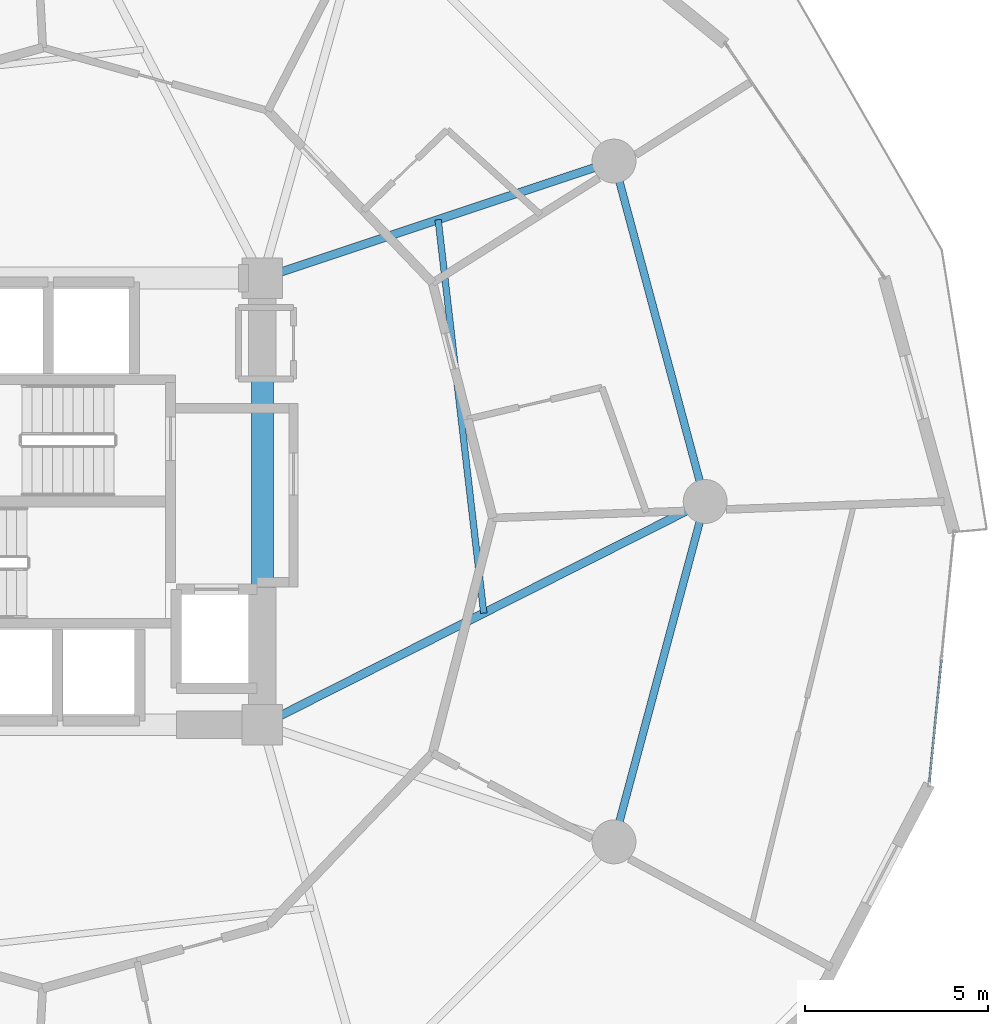
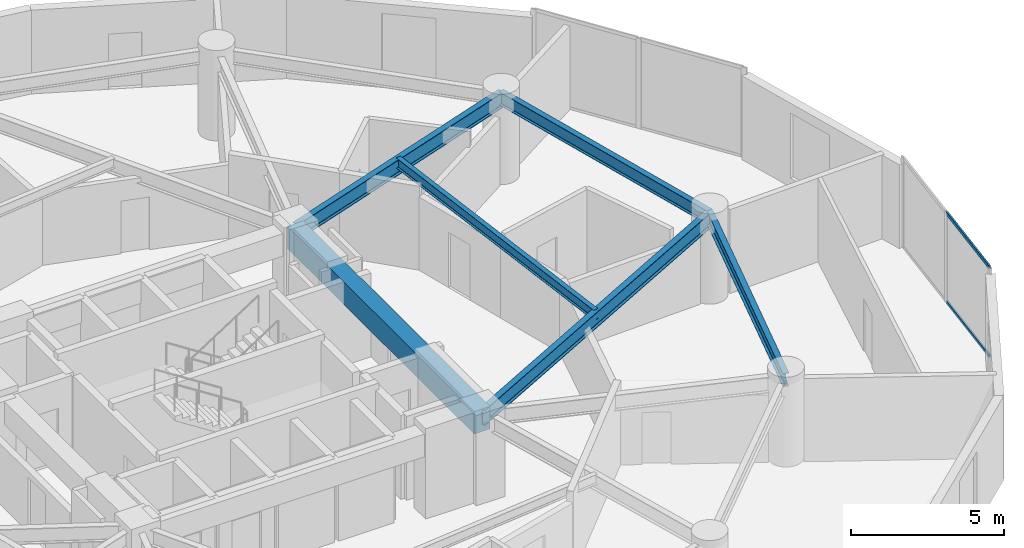
# One storey, part 12 of 26: 6 beams, 2 members, 1 element without a shape of its own.
"""IFC4 building model written with IfcOpenShell, lengths in metres."""

from ifc_helpers import new_model, si_unit, direction, frame, origin, origin_2d, place, context, subcontext, project, spatial, rectangle, hollow_rectangle, i_section, extrude, source, transform, mapped, material, layer, layer_set, material_profile, profile_set, type_object, element, aggregate, save


model = new_model("IFC4")

# Units and contexts
model_context = context("Model", 3, precision=1e-05, world=origin(), true_north=direction((0.0, 1.0)))
body_context = subcontext(model_context, "Body", "Model", "MODEL_VIEW")
ifc_project = project(units=[si_unit("LENGTHUNIT", "METRE"), si_unit("AREAUNIT", "SQUARE_METRE"), si_unit("VOLUMEUNIT", "CUBIC_METRE"), si_unit("PLANEANGLEUNIT", "RADIAN"), si_unit("MASSUNIT", "GRAM", prefix="KILO")], contexts=[model_context])

# Site, building, storey
site_placement = place(None, origin())
site = spatial("IfcSite", under=ifc_project, at=site_placement, CompositionType="ELEMENT")
building_placement = place(site_placement, origin())
building = spatial("IfcBuilding", under=site, at=building_placement, Name="Solvirekh Grand Hotel", CompositionType="ELEMENT")
storey_placement = place(building_placement, frame((0.0, 0.0, 64.39990234375)))
storey = spatial("IfcBuildingStorey", under=building, at=storey_placement, Name="L15", CompositionType="ELEMENT", Elevation=64.39990234375)

# Beams
ifc_material_1 = material(Name="Concrete C50/60", Category="concrete")
ifc_material_profile_1 = material_profile(ifc_material_1, rectangle(XDim=0.60009765625, YDim=0.89990234375, at=origin_2d()), Name="RC BEAM 600X900")
ifc_profile_set_1 = profile_set([ifc_material_profile_1], Name="Concrete C50/60")
beam_type_1 = type_object("IfcBeamType", Name="Beam_Core_RC900", PredefinedType="BEAM", material=ifc_profile_set_1)
beam_1_placement = place(storey_placement, frame((6.5, -6.10009765625, 2.89013671875), z_axis=(0.0, 1.0, 0.0), x_axis=(-1.0, 0.0, 0.0)))
element("IfcBeam", 1, at=beam_1_placement, inside=storey, type_object=beam_type_1, Name="L15 core coupling ring beam 2", PredefinedType="BEAM", context=body_context, shape_type="SweptSolid", body=[
    extrude(rectangle(XDim=0.60009765625, YDim=0.89990234375, at=origin_2d()), origin(), (0.0, 0.0, 1.0), 12.2001953125),
])
ifc_material_2 = material(Name="Steel S355", Category="steel")
ifc_material_profile_2 = material_profile(ifc_material_2, i_section(OverallWidth=0.22802734375, OverallDepth=0.616943359375, WebThickness=0.012939453125, FlangeThickness=0.02001953125, FilletRadius=0.014892578125, at=origin_2d()), Name="W610X140")
ifc_profile_set_2 = profile_set([ifc_material_profile_2], Name="Steel S355")
beam_type_2 = type_object("IfcBeamType", Name="Beam_Radial_W610", PredefinedType="BEAM", material=ifc_profile_set_2)
beam_2_placement = place(storey_placement, frame((6.5, -6.10009765625, 3.031005859375), z_axis=(0.892944939011, 0.450165898191, 0.0), x_axis=(-0.450165898191, 0.892944939011, 0.0)))
element("IfcBeam", 2, at=beam_2_placement, inside=storey, type_object=beam_type_2, Name="L15 radial floor beam R01", PredefinedType="BEAM", context=body_context, shape_type="SweptSolid", body=[
    extrude(i_section(OverallWidth=0.22802734375, OverallDepth=0.616943359375, WebThickness=0.012939453125, FlangeThickness=0.02001953125, FilletRadius=0.014892578125, at=origin_2d()), origin(), (0.0, 0.0, 1.0), 13.55078125),
])
beam_3_placement = place(storey_placement, frame((6.5, 6.10009765625, 3.031005859375), z_axis=(0.948762825819, 0.315989082635, 0.0), x_axis=(-0.315989082635, 0.948762825819, 0.0)))
element("IfcBeam", 3, at=beam_3_placement, inside=storey, type_object=beam_type_2, Name="L15 radial floor beam R02", PredefinedType="BEAM", context=body_context, shape_type="SweptSolid", body=[
    extrude(i_section(OverallWidth=0.22802734375, OverallDepth=0.616943359375, WebThickness=0.012939453125, FlangeThickness=0.02001953125, FilletRadius=0.014892578125, at=origin_2d()), origin(), (0.0, 0.0, 1.0), 10.126708984375),
])
ifc_material_profile_3 = material_profile(ifc_material_2, i_section(OverallWidth=0.177978515625, OverallDepth=0.406982421875, WebThickness=0.008056640625, FlangeThickness=0.011962890625, FilletRadius=0.011962890625, at=origin_2d()), Name="W410X60")
ifc_profile_set_3 = profile_set([ifc_material_profile_3], Name="Steel S355")
beam_type_3 = type_object("IfcBeamType", Name="Joist_Floor_W410", PredefinedType="JOIST", material=ifc_profile_set_3)
beam_4_placement = place(storey_placement, frame((12.550048828125, -3.050048828125, 3.135986328125), z_axis=(-0.115144710849, 0.993348728073, 0.0), x_axis=(-0.993348728073, -0.115144710849, 0.0)))
element("IfcBeam", 4, at=beam_4_placement, inside=storey, type_object=beam_type_3, Name="L15 secondary composite floor joist 1", PredefinedType="JOIST", context=body_context, shape_type="SweptSolid", body=[
    extrude(i_section(OverallWidth=0.177978515625, OverallDepth=0.406982421875, WebThickness=0.008056640625, FlangeThickness=0.011962890625, FilletRadius=0.011962890625, at=origin_2d()), origin(), (0.0, 0.0, 1.0), 10.822021484375),
])
ifc_material_profile_4 = material_profile(ifc_material_2, i_section(OverallWidth=0.208984375, OverallDepth=0.532958984375, WebThickness=0.010009765625, FlangeThickness=0.014892578125, FilletRadius=0.013916015625, at=origin_2d()), Name="W530X92")
ifc_profile_set_4 = profile_set([ifc_material_profile_4], Name="Steel S355")
beam_type_4 = type_object("IfcBeamType", Name="Spandrel_Ring_W530", PredefinedType="SPANDREL", material=ifc_profile_set_4)
for number, where, z_axis, x_axis, name in (
    (5, (18.60009765625, 0.0, 3.07421875), (-0.258842973314, 0.965919414426, 0.0), (-0.965919414426, -0.258842973314, 0.0), "L15 perimeter spandrel beam 1"),
    (6, (16.10791015625, -9.300048828125, 3.07421875), (0.258842973314, 0.965919414426, 0.0), (-0.965919414426, 0.258842973314, 0.0), "L15 perimeter spandrel beam 12"),
):
    element("IfcBeam", number, at=place(storey_placement, frame(where, z_axis=z_axis, x_axis=x_axis)), inside=storey, type_object=beam_type_4, Name=name, PredefinedType="SPANDREL", context=body_context, shape_type="SweptSolid", body=[
        extrude(i_section(OverallWidth=0.208984375, OverallDepth=0.532958984375, WebThickness=0.010009765625, FlangeThickness=0.014892578125, FilletRadius=0.013916015625, at=origin_2d()), origin(), (0.0, 0.0, 1.0), 9.628173828125),
    ])

# Curtain wall, members
ifc_material_3 = material(Name="Anodized Bronze Aluminium 6063-T6", Category="aluminium")
ifc_layer = layer(ifc_material_3, 0.18994140625)
ifc_layer_set = layer_set([ifc_layer], Name="Anodized Bronze Aluminium 6063-T6")
curtain_wall_type = type_object("IfcCurtainWallType", Name="CW_Sys2_LowZoneFlushBronzeCW", PredefinedType="NOTDEFINED", material=ifc_layer_set)
curtain_wall_placement = place(storey_placement, origin())
curtain_wall = element("IfcCurtainWall", 7, at=curtain_wall_placement, inside=storey, type_object=curtain_wall_type, Name="L15 unitised bronze-glass curtain wall CW-L15-C01", PredefinedType="NOTDEFINED")
ifc_material_profile_5 = material_profile(ifc_material_3, hollow_rectangle(XDim=0.06005859375, YDim=0.135009765625, WallThickness=0.00390625, at=origin_2d()), Name="ALU RHS 135X60X4")
ifc_profile_set_5 = profile_set([ifc_material_profile_5], Name="Anodized Bronze Aluminium 6063-T6")
member_type = type_object("IfcMemberType", Name="CWTransom_Sys2", PredefinedType="USERDEFINED", material=ifc_profile_set_5)
shared_shape = source(origin(), body_context, "Body", "SweptSolid", [
    extrude(hollow_rectangle(XDim=0.06005859375, YDim=0.135009765625, WallThickness=0.00390625, at=origin_2d()), origin(), (0.0, 0.0, 1.0), 3.35791015625),
])
member_1_placement = place(storey_placement, frame((24.725830078125, -7.662353515625, 0.030029296875), z_axis=(0.098373446851, 0.995149569138, 0.0), x_axis=(-0.995149569138, 0.098373446851, 0.0)))
member_1 = element("IfcMember", 8, at=member_1_placement, type_object=member_type, Name="U02 transom 1.1", ObjectType="TRANSOM", PredefinedType="USERDEFINED", context=body_context, shape_type="MappedRepresentation", body=[
    mapped(shared_shape, transform((0.0, 0.0, 0.0), x_axis=(1.0, 0.0, 0.0), y_axis=(0.0, 1.0, 0.0), z_axis=(0.0, 0.0, 1.0), scale=1.0)),
])
member_2_placement = place(storey_placement, frame((24.725830078125, -7.662353515625, 3.570068359375), z_axis=(0.098373446851, 0.995149569138, 0.0), x_axis=(-0.995149569138, 0.098373446851, 0.0)))
member_2 = element("IfcMember", 9, at=member_2_placement, type_object=member_type, Name="U02 transom 1.2", ObjectType="TRANSOM", PredefinedType="USERDEFINED", context=body_context, shape_type="MappedRepresentation", body=[
    mapped(shared_shape, transform((0.0, 0.0, 0.0), x_axis=(1.0, 0.0, 0.0), y_axis=(0.0, 1.0, 0.0), z_axis=(0.0, 0.0, 1.0), scale=1.0)),
])
aggregate(curtain_wall, [member_1, member_2])

save(model, "model.ifc")
